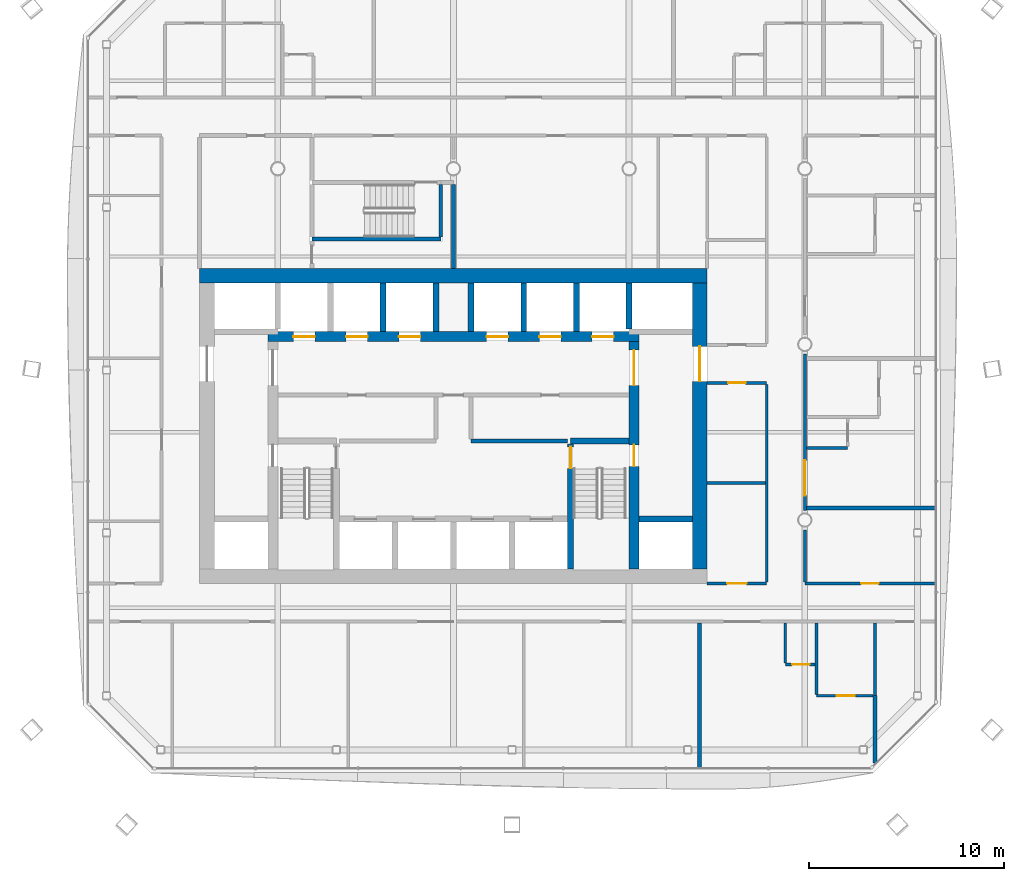
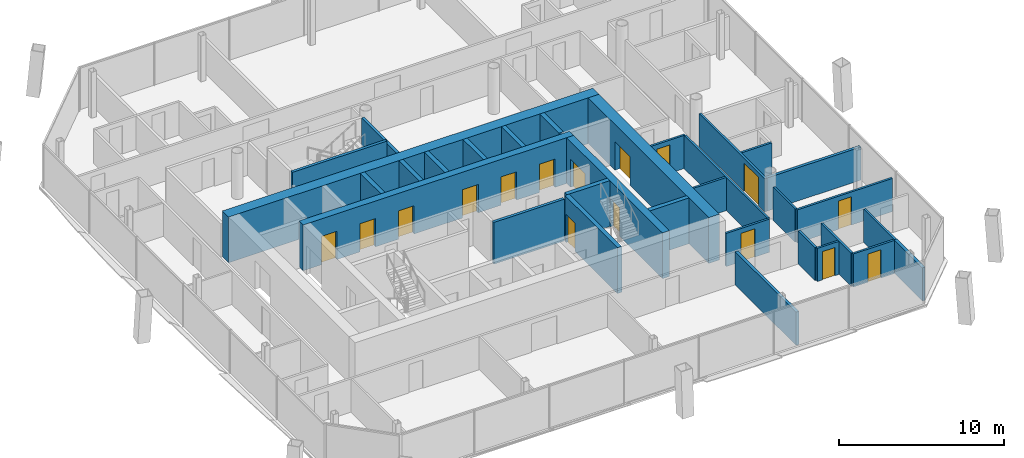
# One storey, part 13 of 18: 33 walls, 16 doors, 16 openings.
"""IFC4 building model written with IfcOpenShell, lengths in metres."""

from ifc_helpers import new_model, si_unit, direction, frame, frame_2d, origin, place, context, subcontext, project, spatial, rectangle, extrude, material, layer, layer_set, type_object, element, fill, save


model = new_model("IFC4")

# Units and contexts
model_context = context("Model", 3, precision=1e-05, world=origin(), true_north=direction((0.0, 1.0)))
body_context = subcontext(model_context, "Body", "Model", "MODEL_VIEW")
ifc_project = project(units=[si_unit("LENGTHUNIT", "METRE"), si_unit("AREAUNIT", "SQUARE_METRE"), si_unit("VOLUMEUNIT", "CUBIC_METRE"), si_unit("PLANEANGLEUNIT", "RADIAN"), si_unit("MASSUNIT", "GRAM", prefix="KILO")], contexts=[model_context])

# Site, building, storey
site_placement = place(None, origin())
site = spatial("IfcSite", under=ifc_project, at=site_placement, CompositionType="ELEMENT")
building_placement = place(site_placement, origin())
building = spatial("IfcBuilding", under=site, at=building_placement, Name="Tskaro Facet Tower", CompositionType="ELEMENT")
storey_placement = place(building_placement, frame((0.0, 0.0, 155.5)))
storey = spatial("IfcBuildingStorey", under=building, at=storey_placement, Name="L38", CompositionType="ELEMENT", Elevation=155.5)

# Walls
ifc_material_1 = material(Name="Concrete C60/75", Category="concrete")
ifc_layer_1 = layer(ifc_material_1, 0.300048828125, Name="Concrete C60/75")
ifc_layer_set_1 = layer_set([ifc_layer_1], Name="Concrete C60/75")
wall_type_1 = type_object("IfcWallType", Name="CORE-SHAFT", PredefinedType="SHEAR", material=ifc_layer_set_1)
wall_1_placement = place(storey_placement, frame((9.5, -8.949951171875, 0.0), z_axis=(0.0, 0.0, 1.0), x_axis=(1.0, 0.0, 0.0)))
element("IfcWall", 1, at=wall_1_placement, inside=storey, type_object=wall_type_1, Name="Shaft wall W010", PredefinedType="SHEAR", context=body_context, shape_type="SweptSolid", body=[
    extrude(rectangle(XDim=2.75, YDim=0.300048828125, at=frame_2d((1.375, 0.0))), origin(), (0.0, 0.0, 1.0), 3.39990234375),
])
wall_2_placement = place(storey_placement, frame((6.0, -4.949951171875, 0.0), z_axis=(0.0, 0.0, 1.0), x_axis=(1.0, 0.0, 0.0)))
element("IfcWall", 2, at=wall_2_placement, inside=storey, type_object=wall_type_1, Name="Shaft wall W017", PredefinedType="SHEAR", context=body_context, shape_type="SweptSolid", body=[
    extrude(rectangle(XDim=3.0, YDim=0.300048828125, at=frame_2d((1.5, 0.0))), origin(), (0.0, 0.0, 1.0), 3.39990234375),
])
for number, where, z_axis, x_axis, name in (
    (3, (-3.60009765625, 0.64990234375, 0.0), (0.0, 0.0, 1.0), (0.0, 1.0, 0.0), "Shaft wall W058"),
    (4, (-0.89990234375, 0.64990234375, 0.0), (0.0, 0.0, 1.0), (0.0, 1.0, 0.0), "Shaft wall W061"),
    (5, (0.89990234375, 0.64990234375, 0.0), (0.0, 0.0, 1.0), (0.0, 1.0, 0.0), "Shaft wall W067"),
    (6, (3.60009765625, 0.64990234375, 0.0), (0.0, 0.0, 1.0), (0.0, 1.0, 0.0), "Shaft wall W070"),
):
    element("IfcWall", number, at=place(storey_placement, frame(where, z_axis=z_axis, x_axis=x_axis)), inside=storey, type_object=wall_type_1, Name=name, PredefinedType="SHEAR", context=body_context, shape_type="SweptSolid", body=[
        extrude(rectangle(XDim=2.5, YDim=0.300048828125, at=frame_2d((1.25, 0.0))), origin(), (0.0, 0.0, 1.0), 3.39990234375),
    ])

# Wall, opening, door
wall_3_placement = place(storey_placement, frame((6.0, -5.10009765625, 0.0), z_axis=(0.0, 0.0, 1.0), x_axis=(0.0, -1.0, 0.0)))
wall_3 = element("IfcWall", 7, at=wall_3_placement, inside=storey, type_object=wall_type_1, Name="Shaft wall W071", PredefinedType="SHEAR", context=body_context, shape_type="SweptSolid", body=[
    extrude(rectangle(XDim=6.39990234375, YDim=0.300048828125, at=frame_2d((3.199951171875, 0.0))), origin(), (0.0, 0.0, 1.0), 3.39990234375),
])
opening_1_placement = place(wall_3_placement, frame((0.14990234375, 0.0, 0.0)))
opening_1 = element("IfcOpeningElement", 8, at=opening_1_placement, cuts=wall_3, Name="Opening ST-2-D1", PredefinedType="OPENING", context=body_context, shape_type="SweptSolid", body=[
    extrude(rectangle(XDim=1.10009765625, YDim=2.10009765625, at=frame_2d((0.550048828125, 1.050048828125))), frame((0.0, 0.159912109375, 0.0), z_axis=(0.0, -1.0, 0.0), x_axis=(1.0, 0.0, 0.0)), (0.0, 0.0, 1.0), 0.320068359375),
])
ifc_material_2 = material(Name="Steel", Category="steel")
door_type_1 = type_object("IfcDoorType", Name="D-STAIR", OperationType="NOTDEFINED", PredefinedType="DOOR", material=ifc_material_2)
door_1_placement = place(opening_1_placement, origin())
door_1 = element("IfcDoor", 9, at=door_1_placement, inside=storey, type_object=door_type_1, Name="Stair door 2", OperationType="SINGLE_SWING_RIGHT", OverallHeight=2.10009765625, OverallWidth=1.10009765625, PredefinedType="DOOR", context=body_context, shape_type="SweptSolid", body=[
    extrude(rectangle(XDim=1.10009765625, YDim=2.10009765625, at=frame_2d((0.550048828125, 1.050048828125))), frame((0.0, 0.02490234375, 0.0), z_axis=(0.0, -1.0, 0.0), x_axis=(1.0, 0.0, 0.0)), (0.0, 0.0, 1.0), 0.050048828125),
])
fill(opening_1, door_1)

# Walls
wall_4_placement = place(storey_placement, frame((6.300048828125, 0.64990234375, 0.0), z_axis=(0.0, 0.0, 1.0), x_axis=(0.0, 1.0, 0.0)))
element("IfcWall", 10, at=wall_4_placement, inside=storey, type_object=wall_type_1, Name="Shaft wall W072", PredefinedType="SHEAR", context=body_context, shape_type="SweptSolid", body=[
    extrude(rectangle(XDim=2.5, YDim=0.300048828125, at=frame_2d((1.25, 0.0))), origin(), (0.0, 0.0, 1.0), 3.39990234375),
])
wall_5_placement = place(storey_placement, frame((9.0, 0.800048828125, 0.0), z_axis=(0.0, 0.0, 1.0), x_axis=(0.0, 1.0, 0.0)))
element("IfcWall", 11, at=wall_5_placement, inside=storey, type_object=wall_type_1, Name="Shaft wall W073", PredefinedType="SHEAR", context=body_context, shape_type="SweptSolid", body=[
    extrude(rectangle(XDim=2.349853515625, YDim=0.300048828125, at=frame_2d((1.1748046875, 0.0))), origin(), (0.0, 0.0, 1.0), 3.39990234375),
])
ifc_material_3 = material(Name="Concrete C20/25", Category="concrete")
ifc_layer_2 = layer(ifc_material_3, 0.199951171875, Name="Concrete C20/25")
ifc_layer_set_2 = layer_set([ifc_layer_2], Name="Concrete C20/25")
wall_type_2 = type_object("IfcWallType", Name="CORE-WALL", PredefinedType="SOLIDWALL", material=ifc_layer_set_2)
wall_6_placement = place(storey_placement, frame((0.89990234375, -4.949951171875, 0.0), z_axis=(0.0, 0.0, 1.0), x_axis=(1.0, 0.0, 0.0)))
element("IfcWall", 12, at=wall_6_placement, inside=storey, type_object=wall_type_2, Name="Core room wall W016", PredefinedType="SOLIDWALL", context=body_context, shape_type="SweptSolid", body=[
    extrude(rectangle(XDim=4.9501953125, YDim=0.199951171875, at=frame_2d((2.47509765625, 0.0))), origin(), (0.0, 0.0, 1.0), 3.10009765625),
])

# Wall, openings, doors
ifc_material_4 = material(Name="Concrete C40/50", Category="concrete")
ifc_layer_3 = layer(ifc_material_4, 0.5, Name="Concrete C40/50")
ifc_layer_set_3 = layer_set([ifc_layer_3], Name="Concrete C40/50")
wall_type_3 = type_object("IfcWallType", Name="Core wall 500", PredefinedType="SHEAR", material=ifc_layer_set_3)
wall_7_placement = place(storey_placement, frame((-9.5, 0.39990234375, 0.0), z_axis=(0.0, 0.0, 1.0), x_axis=(1.0, 0.0, 0.0)))
wall_7 = element("IfcWall", 13, at=wall_7_placement, inside=storey, type_object=wall_type_3, Name="Core wall CW-Z3N", PredefinedType="SHEAR", context=body_context, shape_type="SweptSolid", body=[
    extrude(rectangle(XDim=19.0, YDim=0.5, at=frame_2d((9.5, 0.0))), origin(), (0.0, 0.0, 1.0), 3.39990234375),
])
opening_2_placement = place(wall_7_placement, frame((1.300048828125, 0.0, 0.0)))
opening_2 = element("IfcOpeningElement", 14, at=opening_2_placement, cuts=wall_7, Name="Opening LD-MB1", PredefinedType="OPENING", context=body_context, shape_type="SweptSolid", body=[
    extrude(rectangle(XDim=1.10009765625, YDim=2.10009765625, at=frame_2d((0.550048828125, 1.050048828125))), frame((0.0, 0.260009765625, 0.0), z_axis=(0.0, -1.0, 0.0), x_axis=(1.0, 0.0, 0.0)), (0.0, 0.0, 1.0), 0.52001953125),
])
opening_3_placement = place(wall_7_placement, frame((4.0, 0.0, 0.0)))
opening_3 = element("IfcOpeningElement", 15, at=opening_3_placement, cuts=wall_7, Name="Opening LD-MB2", PredefinedType="OPENING", context=body_context, shape_type="SweptSolid", body=[
    extrude(rectangle(XDim=1.10009765625, YDim=2.10009765625, at=frame_2d((0.550048828125, 1.050048828125))), frame((0.0, 0.260009765625, 0.0), z_axis=(0.0, -1.0, 0.0), x_axis=(1.0, 0.0, 0.0)), (0.0, 0.0, 1.0), 0.52001953125),
])
opening_4_placement = place(wall_7_placement, frame((6.699951171875, 0.0, 0.0)))
opening_4 = element("IfcOpeningElement", 16, at=opening_4_placement, cuts=wall_7, Name="Opening LD-MB3", PredefinedType="OPENING", context=body_context, shape_type="SweptSolid", body=[
    extrude(rectangle(XDim=1.10009765625, YDim=2.10009765625, at=frame_2d((0.550048828125, 1.050048828125))), frame((0.0, 0.260009765625, 0.0), z_axis=(0.0, -1.0, 0.0), x_axis=(1.0, 0.0, 0.0)), (0.0, 0.0, 1.0), 0.52001953125),
])
opening_5_placement = place(wall_7_placement, frame((11.199951171875, 0.0, 0.0)))
opening_5 = element("IfcOpeningElement", 17, at=opening_5_placement, cuts=wall_7, Name="Opening LD-MB4", PredefinedType="OPENING", context=body_context, shape_type="SweptSolid", body=[
    extrude(rectangle(XDim=1.10009765625, YDim=2.10009765625, at=frame_2d((0.550048828125, 1.050048828125))), frame((0.0, 0.260009765625, 0.0), z_axis=(0.0, -1.0, 0.0), x_axis=(1.0, 0.0, 0.0)), (0.0, 0.0, 1.0), 0.52001953125),
])
opening_6_placement = place(wall_7_placement, frame((13.89990234375, 0.0, 0.0)))
opening_6 = element("IfcOpeningElement", 18, at=opening_6_placement, cuts=wall_7, Name="Opening LD-MB5", PredefinedType="OPENING", context=body_context, shape_type="SweptSolid", body=[
    extrude(rectangle(XDim=1.10009765625, YDim=2.10009765625, at=frame_2d((0.550048828125, 1.050048828125))), frame((0.0, 0.260009765625, 0.0), z_axis=(0.0, -1.0, 0.0), x_axis=(1.0, 0.0, 0.0)), (0.0, 0.0, 1.0), 0.52001953125),
])
opening_7_placement = place(wall_7_placement, frame((16.60009765625, 0.0, 0.0)))
opening_7 = element("IfcOpeningElement", 19, at=opening_7_placement, cuts=wall_7, Name="Opening LD-MB6", PredefinedType="OPENING", context=body_context, shape_type="SweptSolid", body=[
    extrude(rectangle(XDim=1.10009765625, YDim=2.10009765625, at=frame_2d((0.550048828125, 1.050048828125))), frame((0.0, 0.260009765625, 0.0), z_axis=(0.0, -1.0, 0.0), x_axis=(1.0, 0.0, 0.0)), (0.0, 0.0, 1.0), 0.52001953125),
])
ifc_material_5 = material(Name="Stainless steel", Category="steel")
door_type_2 = type_object("IfcDoorType", Name="D-LANDING", OperationType="NOTDEFINED", PredefinedType="DOOR", material=ifc_material_5)
door_2_placement = place(opening_2_placement, origin())
door_2 = element("IfcDoor", 20, at=door_2_placement, inside=storey, type_object=door_type_2, Name="Landing door MB1", OperationType="DOUBLE_DOOR_SLIDING", OverallHeight=2.10009765625, OverallWidth=1.10009765625, PredefinedType="DOOR", context=body_context, shape_type="SweptSolid", body=[
    extrude(rectangle(XDim=1.10009765625, YDim=2.10009765625, at=frame_2d((0.550048828125, 1.050048828125))), frame((0.0, 0.02490234375, 0.0), z_axis=(0.0, -1.0, 0.0), x_axis=(1.0, 0.0, 0.0)), (0.0, 0.0, 1.0), 0.050048828125),
])
fill(opening_2, door_2)
door_3_placement = place(opening_3_placement, origin())
door_3 = element("IfcDoor", 21, at=door_3_placement, inside=storey, type_object=door_type_2, Name="Landing door MB2", OperationType="DOUBLE_DOOR_SLIDING", OverallHeight=2.10009765625, OverallWidth=1.10009765625, PredefinedType="DOOR", context=body_context, shape_type="SweptSolid", body=[
    extrude(rectangle(XDim=1.10009765625, YDim=2.10009765625, at=frame_2d((0.550048828125, 1.050048828125))), frame((0.0, 0.02490234375, 0.0), z_axis=(0.0, -1.0, 0.0), x_axis=(1.0, 0.0, 0.0)), (0.0, 0.0, 1.0), 0.050048828125),
])
fill(opening_3, door_3)
door_4_placement = place(opening_4_placement, origin())
door_4 = element("IfcDoor", 22, at=door_4_placement, inside=storey, type_object=door_type_2, Name="Landing door MB3", OperationType="DOUBLE_DOOR_SLIDING", OverallHeight=2.10009765625, OverallWidth=1.10009765625, PredefinedType="DOOR", context=body_context, shape_type="SweptSolid", body=[
    extrude(rectangle(XDim=1.10009765625, YDim=2.10009765625, at=frame_2d((0.550048828125, 1.050048828125))), frame((0.0, 0.02490234375, 0.0), z_axis=(0.0, -1.0, 0.0), x_axis=(1.0, 0.0, 0.0)), (0.0, 0.0, 1.0), 0.050048828125),
])
fill(opening_4, door_4)
door_5_placement = place(opening_5_placement, origin())
door_5 = element("IfcDoor", 23, at=door_5_placement, inside=storey, type_object=door_type_2, Name="Landing door MB4", OperationType="DOUBLE_DOOR_SLIDING", OverallHeight=2.10009765625, OverallWidth=1.10009765625, PredefinedType="DOOR", context=body_context, shape_type="SweptSolid", body=[
    extrude(rectangle(XDim=1.10009765625, YDim=2.10009765625, at=frame_2d((0.550048828125, 1.050048828125))), frame((0.0, 0.02490234375, 0.0), z_axis=(0.0, -1.0, 0.0), x_axis=(1.0, 0.0, 0.0)), (0.0, 0.0, 1.0), 0.050048828125),
])
fill(opening_5, door_5)
door_6_placement = place(opening_6_placement, origin())
door_6 = element("IfcDoor", 24, at=door_6_placement, inside=storey, type_object=door_type_2, Name="Landing door MB5", OperationType="DOUBLE_DOOR_SLIDING", OverallHeight=2.10009765625, OverallWidth=1.10009765625, PredefinedType="DOOR", context=body_context, shape_type="SweptSolid", body=[
    extrude(rectangle(XDim=1.10009765625, YDim=2.10009765625, at=frame_2d((0.550048828125, 1.050048828125))), frame((0.0, 0.02490234375, 0.0), z_axis=(0.0, -1.0, 0.0), x_axis=(1.0, 0.0, 0.0)), (0.0, 0.0, 1.0), 0.050048828125),
])
fill(opening_6, door_6)
door_7_placement = place(opening_7_placement, origin())
door_7 = element("IfcDoor", 25, at=door_7_placement, inside=storey, type_object=door_type_2, Name="Landing door MB6", OperationType="DOUBLE_DOOR_SLIDING", OverallHeight=2.10009765625, OverallWidth=1.10009765625, PredefinedType="DOOR", context=body_context, shape_type="SweptSolid", body=[
    extrude(rectangle(XDim=1.10009765625, YDim=2.10009765625, at=frame_2d((0.550048828125, 1.050048828125))), frame((0.0, 0.02490234375, 0.0), z_axis=(0.0, -1.0, 0.0), x_axis=(1.0, 0.0, 0.0)), (0.0, 0.0, 1.0), 0.050048828125),
])
fill(opening_7, door_7)

wall_8_placement = place(storey_placement, frame((9.25, -11.5, 0.0), z_axis=(0.0, 0.0, 1.0), x_axis=(0.0, 1.0, 0.0)))
wall_8 = element("IfcWall", 26, at=wall_8_placement, inside=storey, type_object=wall_type_3, Name="Core wall CW-Z3E", PredefinedType="SHEAR", context=body_context, shape_type="SweptSolid", body=[
    extrude(rectangle(XDim=11.64990234375, YDim=0.5, at=frame_2d((5.824951171875, 0.0))), origin(), (0.0, 0.0, 1.0), 3.39990234375),
])
opening_8_placement = place(wall_8_placement, frame((9.39990234375, 0.0, 0.0)))
opening_8 = element("IfcOpeningElement", 27, at=opening_8_placement, cuts=wall_8, Name="Opening T11-D22", PredefinedType="OPENING", context=body_context, shape_type="SweptSolid", body=[
    extrude(rectangle(XDim=1.800048828125, YDim=2.10009765625, at=frame_2d((0.89990234375, 1.050048828125))), frame((0.0, 0.260009765625, 0.0), z_axis=(0.0, -1.0, 0.0), x_axis=(1.0, 0.0, 0.0)), (0.0, 0.0, 1.0), 0.52001953125),
])
opening_9_placement = place(wall_8_placement, frame((5.25, 0.0, 0.0)))
opening_9 = element("IfcOpeningElement", 28, at=opening_9_placement, cuts=wall_8, Name="Opening ST-2-D2", PredefinedType="OPENING", context=body_context, shape_type="SweptSolid", body=[
    extrude(rectangle(XDim=1.10009765625, YDim=2.10009765625, at=frame_2d((0.550048828125, 1.050048828125))), frame((0.0, 0.260009765625, 0.0), z_axis=(0.0, -1.0, 0.0), x_axis=(1.0, 0.0, 0.0)), (0.0, 0.0, 1.0), 0.52001953125),
])
door_type_3 = type_object("IfcDoorType", Name="D-CORE-PAIR", OperationType="NOTDEFINED", PredefinedType="DOOR", material=ifc_material_2)
door_8_placement = place(opening_8_placement, origin())
door_8 = element("IfcDoor", 29, at=door_8_placement, inside=storey, type_object=door_type_3, Name="Door T11-D22", OperationType="DOUBLE_DOOR_SINGLE_SWING", OverallHeight=2.10009765625, OverallWidth=1.800048828125, PredefinedType="DOOR", context=body_context, shape_type="SweptSolid", body=[
    extrude(rectangle(XDim=1.800048828125, YDim=2.10009765625, at=frame_2d((0.89990234375, 1.050048828125))), frame((0.0, 0.02490234375, 0.0), z_axis=(0.0, -1.0, 0.0), x_axis=(1.0, 0.0, 0.0)), (0.0, 0.0, 1.0), 0.050048828125),
])
fill(opening_8, door_8)
door_9_placement = place(opening_9_placement, origin())
door_9 = element("IfcDoor", 30, at=door_9_placement, inside=storey, type_object=door_type_1, Name="Stair door 2 east", OperationType="SINGLE_SWING_LEFT", OverallHeight=2.10009765625, OverallWidth=1.10009765625, PredefinedType="DOOR", context=body_context, shape_type="SweptSolid", body=[
    extrude(rectangle(XDim=1.10009765625, YDim=2.10009765625, at=frame_2d((0.550048828125, 1.050048828125))), frame((0.0, 0.02490234375, 0.0), z_axis=(0.0, -1.0, 0.0), x_axis=(1.0, 0.0, 0.0)), (0.0, 0.0, 1.0), 0.050048828125),
])
fill(opening_9, door_9)

# Wall
ifc_material_6 = material(Name="Concrete C50/60", Category="concrete")
ifc_layer_4 = layer(ifc_material_6, 0.75, Name="Concrete C50/60")
ifc_layer_set_4 = layer_set([ifc_layer_4], Name="Concrete C50/60")
wall_type_4 = type_object("IfcWallType", Name="Core wall 750", PredefinedType="SHEAR", material=ifc_layer_set_4)
wall_9_placement = place(storey_placement, frame((-13.0, 3.52490234375, 0.0), z_axis=(0.0, 0.0, 1.0), x_axis=(1.0, 0.0, 0.0)))
element("IfcWall", 31, at=wall_9_placement, inside=storey, type_object=wall_type_4, Name="Core wall CW-Z2N", PredefinedType="SHEAR", context=body_context, shape_type="SweptSolid", body=[
    extrude(rectangle(XDim=26.0, YDim=0.75, at=frame_2d((13.0, 0.0))), origin(), (0.0, 0.0, 1.0), 3.39990234375),
])

# Wall, opening, door
wall_10_placement = place(storey_placement, frame((12.625, -11.5, 0.0), z_axis=(0.0, 0.0, 1.0), x_axis=(0.0, 1.0, 0.0)))
wall_10 = element("IfcWall", 32, at=wall_10_placement, inside=storey, type_object=wall_type_4, Name="Core wall CW-Z2E", PredefinedType="SHEAR", context=body_context, shape_type="SweptSolid", body=[
    extrude(rectangle(XDim=14.64990234375, YDim=0.75, at=frame_2d((7.324951171875, 0.0))), origin(), (0.0, 0.0, 1.0), 3.39990234375),
])
opening_10_placement = place(wall_10_placement, frame((9.60009765625, 0.0, 0.0)))
opening_10 = element("IfcOpeningElement", 33, at=opening_10_placement, cuts=wall_10, Name="Opening T11-D24", PredefinedType="OPENING", context=body_context, shape_type="SweptSolid", body=[
    extrude(rectangle(XDim=1.800048828125, YDim=2.10009765625, at=frame_2d((0.89990234375, 1.050048828125))), frame((0.0, 0.385009765625, 0.0), z_axis=(0.0, -1.0, 0.0), x_axis=(1.0, 0.0, 0.0)), (0.0, 0.0, 1.0), 0.77001953125),
])
door_10_placement = place(opening_10_placement, origin())
door_10 = element("IfcDoor", 34, at=door_10_placement, inside=storey, type_object=door_type_3, Name="Door T11-D24", OperationType="DOUBLE_DOOR_SINGLE_SWING", OverallHeight=2.10009765625, OverallWidth=1.800048828125, PredefinedType="DOOR", context=body_context, shape_type="SweptSolid", body=[
    extrude(rectangle(XDim=1.800048828125, YDim=2.10009765625, at=frame_2d((0.89990234375, 1.050048828125))), frame((0.0, 0.02490234375, 0.0), z_axis=(0.0, -1.0, 0.0), x_axis=(1.0, 0.0, 0.0)), (0.0, 0.0, 1.0), 0.050048828125),
])
fill(opening_10, door_10)

ifc_material_7 = material(Name="Gypsum board on steel studs", Category="steel")
ifc_layer_5 = layer(ifc_material_7, 0.14990234375, Name="Gypsum board on steel studs")
ifc_layer_set_5 = layer_set([ifc_layer_5], Name="Gypsum board on steel studs")
wall_type_5 = type_object("IfcWallType", Name="PART-CORR", PredefinedType="PARTITIONING", material=ifc_layer_set_5)
wall_11_placement = place(storey_placement, frame((18.59912109375, -18.0, 0.0), z_axis=(0.0, 0.0, 1.0), x_axis=(1.0, 0.0, 0.0)))
wall_11 = element("IfcWall", 35, at=wall_11_placement, inside=storey, type_object=wall_type_5, Name="Corridor wall W001", PredefinedType="PARTITIONING", context=body_context, shape_type="SweptSolid", body=[
    extrude(rectangle(XDim=2.89990234375, YDim=0.14990234375, at=frame_2d((1.449951171875, 0.0))), origin(), (0.0, 0.0, 1.0), 2.4599609375),
])
opening_11_placement = place(wall_11_placement, frame((1.050048828125, 0.0, 0.0)))
opening_11 = element("IfcOpeningElement", 36, at=opening_11_placement, cuts=wall_11, Name="Opening T11-D01", PredefinedType="OPENING", context=body_context, shape_type="SweptSolid", body=[
    extrude(rectangle(XDim=0.89990234375, YDim=2.10009765625, at=frame_2d((0.449951171875, 1.050048828125))), frame((0.0, 0.0849609375, 0.0), z_axis=(0.0, -1.0, 0.0), x_axis=(1.0, 0.0, 0.0)), (0.0, 0.0, 1.0), 0.169921875),
])
ifc_material_8 = material(Name="Timber", Category="wood")
door_type_4 = type_object("IfcDoorType", Name="D-ROOM", OperationType="NOTDEFINED", PredefinedType="DOOR", material=ifc_material_8)
door_11_placement = place(opening_11_placement, origin())
door_11 = element("IfcDoor", 37, at=door_11_placement, inside=storey, type_object=door_type_4, Name="Door T11-D01", OperationType="SINGLE_SWING_LEFT", OverallHeight=2.10009765625, OverallWidth=0.89990234375, PredefinedType="DOOR", context=body_context, shape_type="SweptSolid", body=[
    extrude(rectangle(XDim=0.89990234375, YDim=2.10009765625, at=frame_2d((0.449951171875, 1.050048828125))), frame((0.0, 0.02490234375, 0.0), z_axis=(0.0, -1.0, 0.0), x_axis=(1.0, 0.0, 0.0)), (0.0, 0.0, 1.0), 0.050048828125),
])
fill(opening_11, door_11)

wall_12_placement = place(storey_placement, frame((16.9990234375, -16.39990234375, 0.0), z_axis=(0.0, 0.0, 1.0), x_axis=(1.0, 0.0, 0.0)))
wall_12 = element("IfcWall", 38, at=wall_12_placement, inside=storey, type_object=wall_type_5, Name="Corridor wall W002", PredefinedType="PARTITIONING", context=body_context, shape_type="SweptSolid", body=[
    extrude(rectangle(XDim=1.52490234375, YDim=0.14990234375, at=frame_2d((0.762451171875, 0.0))), origin(), (0.0, 0.0, 1.0), 2.4599609375),
])
opening_12_placement = place(wall_12_placement, frame((0.35009765625, 0.0, 0.0)))
opening_12 = element("IfcOpeningElement", 39, at=opening_12_placement, cuts=wall_12, Name="Opening T11-D02", PredefinedType="OPENING", context=body_context, shape_type="SweptSolid", body=[
    extrude(rectangle(XDim=0.89990234375, YDim=2.10009765625, at=frame_2d((0.449951171875, 1.050048828125))), frame((0.0, 0.0849609375, 0.0), z_axis=(0.0, -1.0, 0.0), x_axis=(1.0, 0.0, 0.0)), (0.0, 0.0, 1.0), 0.169921875),
])
door_12_placement = place(opening_12_placement, origin())
door_12 = element("IfcDoor", 40, at=door_12_placement, inside=storey, type_object=door_type_4, Name="Door T11-D02", OperationType="SINGLE_SWING_LEFT", OverallHeight=2.10009765625, OverallWidth=0.89990234375, PredefinedType="DOOR", context=body_context, shape_type="SweptSolid", body=[
    extrude(rectangle(XDim=0.89990234375, YDim=2.10009765625, at=frame_2d((0.449951171875, 1.050048828125))), frame((0.0, 0.02490234375, 0.0), z_axis=(0.0, -1.0, 0.0), x_axis=(1.0, 0.0, 0.0)), (0.0, 0.0, 1.0), 0.050048828125),
])
fill(opening_12, door_12)

wall_13_placement = place(storey_placement, frame((13.0, -12.25, 0.0), z_axis=(0.0, 0.0, 1.0), x_axis=(1.0, 0.0, 0.0)))
wall_13 = element("IfcWall", 41, at=wall_13_placement, inside=storey, type_object=wall_type_5, Name="Corridor wall W005", PredefinedType="PARTITIONING", context=body_context, shape_type="SweptSolid", body=[
    extrude(rectangle(XDim=3.050048828125, YDim=0.14990234375, at=frame_2d((1.52490234375, 0.0))), origin(), (0.0, 0.0, 1.0), 2.4599609375),
])
opening_13_placement = place(wall_13_placement, frame((1.02490234375, 0.0, 0.0)))
opening_13 = element("IfcOpeningElement", 42, at=opening_13_placement, cuts=wall_13, Name="Opening T11-D10", PredefinedType="OPENING", context=body_context, shape_type="SweptSolid", body=[
    extrude(rectangle(XDim=1.0, YDim=2.10009765625, at=frame_2d((0.5, 1.050048828125))), frame((0.0, 0.0849609375, 0.0), z_axis=(0.0, -1.0, 0.0), x_axis=(1.0, 0.0, 0.0)), (0.0, 0.0, 1.0), 0.169921875),
])
door_type_5 = type_object("IfcDoorType", Name="D-ROOM-WIDE", OperationType="NOTDEFINED", PredefinedType="DOOR", material=ifc_material_8)
door_13_placement = place(opening_13_placement, origin())
door_13 = element("IfcDoor", 43, at=door_13_placement, inside=storey, type_object=door_type_5, Name="Door T11-D10", OperationType="SINGLE_SWING_LEFT", OverallHeight=2.10009765625, OverallWidth=1.0, PredefinedType="DOOR", context=body_context, shape_type="SweptSolid", body=[
    extrude(rectangle(XDim=1.0, YDim=2.10009765625, at=frame_2d((0.5, 1.050048828125))), frame((0.0, 0.02490234375, 0.0), z_axis=(0.0, -1.0, 0.0), x_axis=(1.0, 0.0, 0.0)), (0.0, 0.0, 1.0), 0.050048828125),
])
fill(opening_13, door_13)

wall_14_placement = place(storey_placement, frame((18.0, -12.25, 0.0), z_axis=(0.0, 0.0, 1.0), x_axis=(1.0, 0.0, 0.0)))
wall_14 = element("IfcWall", 44, at=wall_14_placement, inside=storey, type_object=wall_type_5, Name="Corridor wall W006", PredefinedType="PARTITIONING", context=body_context, shape_type="SweptSolid", body=[
    extrude(rectangle(XDim=6.674072265625, YDim=0.14990234375, at=frame_2d((3.3369140625, 0.0))), origin(), (0.0, 0.0, 1.0), 2.4599609375),
])
opening_14_placement = place(wall_14_placement, frame((2.886962890625, 0.0, 0.0)))
opening_14 = element("IfcOpeningElement", 45, at=opening_14_placement, cuts=wall_14, Name="Opening T11-D11", PredefinedType="OPENING", context=body_context, shape_type="SweptSolid", body=[
    extrude(rectangle(XDim=0.89990234375, YDim=2.10009765625, at=frame_2d((0.449951171875, 1.050048828125))), frame((0.0, 0.0849609375, 0.0), z_axis=(0.0, -1.0, 0.0), x_axis=(1.0, 0.0, 0.0)), (0.0, 0.0, 1.0), 0.169921875),
])
door_14_placement = place(opening_14_placement, origin())
door_14 = element("IfcDoor", 46, at=door_14_placement, inside=storey, type_object=door_type_4, Name="Door T11-D11", OperationType="SINGLE_SWING_LEFT", OverallHeight=2.10009765625, OverallWidth=0.89990234375, PredefinedType="DOOR", context=body_context, shape_type="SweptSolid", body=[
    extrude(rectangle(XDim=0.89990234375, YDim=2.10009765625, at=frame_2d((0.449951171875, 1.050048828125))), frame((0.0, 0.02490234375, 0.0), z_axis=(0.0, -1.0, 0.0), x_axis=(1.0, 0.0, 0.0)), (0.0, 0.0, 1.0), 0.050048828125),
])
fill(opening_14, door_14)

# Walls
wall_15_placement = place(storey_placement, frame((13.0, -7.112060546875, 0.0), z_axis=(0.0, 0.0, 1.0), x_axis=(1.0, 0.0, 0.0)))
element("IfcWall", 47, at=wall_15_placement, inside=storey, type_object=wall_type_5, Name="Corridor wall W012", PredefinedType="PARTITIONING", context=body_context, shape_type="SweptSolid", body=[
    extrude(rectangle(XDim=2.97509765625, YDim=0.14990234375, at=frame_2d((1.487548828125, 0.0))), origin(), (0.0, 0.0, 1.0), 2.4599609375),
])
wall_16_placement = place(storey_placement, frame((18.074951171875, -5.31591796875, 0.0), z_axis=(0.0, 0.0, 1.0), x_axis=(1.0, 0.0, 0.0)))
element("IfcWall", 48, at=wall_16_placement, inside=storey, type_object=wall_type_5, Name="Corridor wall W013", PredefinedType="PARTITIONING", context=body_context, shape_type="SweptSolid", body=[
    extrude(rectangle(XDim=2.125, YDim=0.14990234375, at=frame_2d((1.0625, 0.0))), origin(), (0.0, 0.0, 1.0), 2.4599609375),
])

# Wall, opening, door
wall_17_placement = place(storey_placement, frame((16.050048828125, -1.97509765625, 0.0), z_axis=(0.0, 0.0, 1.0), x_axis=(-1.0, 0.0, 0.0)))
wall_17 = element("IfcWall", 49, at=wall_17_placement, inside=storey, type_object=wall_type_5, Name="Corridor wall W020", PredefinedType="PARTITIONING", context=body_context, shape_type="SweptSolid", body=[
    extrude(rectangle(XDim=3.050048828125, YDim=0.14990234375, at=frame_2d((1.52490234375, 0.0))), origin(), (0.0, 0.0, 1.0), 2.4599609375),
])
opening_15_placement = place(wall_17_placement, frame((1.074951171875, 0.0, 0.0)))
opening_15 = element("IfcOpeningElement", 50, at=opening_15_placement, cuts=wall_17, Name="Opening T11-D20", PredefinedType="OPENING", context=body_context, shape_type="SweptSolid", body=[
    extrude(rectangle(XDim=0.89990234375, YDim=2.10009765625, at=frame_2d((0.449951171875, 1.050048828125))), frame((0.0, 0.0849609375, 0.0), z_axis=(0.0, -1.0, 0.0), x_axis=(1.0, 0.0, 0.0)), (0.0, 0.0, 1.0), 0.169921875),
])
door_15_placement = place(opening_15_placement, origin())
door_15 = element("IfcDoor", 51, at=door_15_placement, inside=storey, type_object=door_type_4, Name="Door T11-D20", OperationType="SINGLE_SWING_RIGHT", OverallHeight=2.10009765625, OverallWidth=0.89990234375, PredefinedType="DOOR", context=body_context, shape_type="SweptSolid", body=[
    extrude(rectangle(XDim=0.89990234375, YDim=2.10009765625, at=frame_2d((0.449951171875, 1.050048828125))), frame((0.0, 0.02490234375, 0.0), z_axis=(0.0, -1.0, 0.0), x_axis=(1.0, 0.0, 0.0)), (0.0, 0.0, 1.0), 0.050048828125),
])
fill(opening_15, door_15)

# Walls
wall_18_placement = place(storey_placement, frame((16.050048828125, -12.175048828125, 0.0), z_axis=(0.0, 0.0, 1.0), x_axis=(0.0, 1.0, 0.0)))
element("IfcWall", 52, at=wall_18_placement, inside=storey, type_object=wall_type_5, Name="Corridor wall W081", PredefinedType="PARTITIONING", context=body_context, shape_type="SweptSolid", body=[
    extrude(rectangle(XDim=10.125, YDim=0.14990234375, at=frame_2d((5.0625, 0.0))), origin(), (0.0, 0.0, 1.0), 2.4599609375),
])
wall_19_placement = place(storey_placement, frame((16.9990234375, -16.324951171875, 0.0), z_axis=(0.0, 0.0, 1.0), x_axis=(0.0, 1.0, 0.0)))
element("IfcWall", 53, at=wall_19_placement, inside=storey, type_object=wall_type_5, Name="Corridor wall W083", PredefinedType="PARTITIONING", context=body_context, shape_type="SweptSolid", body=[
    extrude(rectangle(XDim=2.050048828125, YDim=0.14990234375, at=frame_2d((1.02490234375, 0.0))), origin(), (0.0, 0.0, 1.0), 2.4599609375),
])
wall_20_placement = place(storey_placement, frame((18.0, -12.175048828125, 0.0), z_axis=(0.0, 0.0, 1.0), x_axis=(0.0, 1.0, 0.0)))
element("IfcWall", 54, at=wall_20_placement, inside=storey, type_object=wall_type_5, Name="Corridor wall W084", PredefinedType="PARTITIONING", context=body_context, shape_type="SweptSolid", body=[
    extrude(rectangle(XDim=2.675048828125, YDim=0.14990234375, at=frame_2d((1.33740234375, 0.0))), origin(), (0.0, 0.0, 1.0), 2.4599609375),
])

# Wall, opening, door
wall_21_placement = place(storey_placement, frame((18.0, -0.5, 0.0), z_axis=(0.0, 0.0, 1.0), x_axis=(0.0, -1.0, 0.0)))
wall_21 = element("IfcWall", 55, at=wall_21_placement, inside=storey, type_object=wall_type_5, Name="Corridor wall W085", PredefinedType="PARTITIONING", context=body_context, shape_type="SweptSolid", body=[
    extrude(rectangle(XDim=8.0, YDim=0.14990234375, at=frame_2d((4.0, 0.0))), origin(), (0.0, 0.0, 1.0), 2.4599609375),
])
opening_16_placement = place(wall_21_placement, frame((5.447998046875, 0.0, 0.0)))
opening_16 = element("IfcOpeningElement", 56, at=opening_16_placement, cuts=wall_21, Name="Opening T11-D14", PredefinedType="OPENING", context=body_context, shape_type="SweptSolid", body=[
    extrude(rectangle(XDim=1.800048828125, YDim=2.10009765625, at=frame_2d((0.89990234375, 1.050048828125))), frame((0.0, 0.0849609375, 0.0), z_axis=(0.0, -1.0, 0.0), x_axis=(1.0, 0.0, 0.0)), (0.0, 0.0, 1.0), 0.169921875),
])
door_type_6 = type_object("IfcDoorType", Name="D-SUITE-PAIR", OperationType="NOTDEFINED", PredefinedType="DOOR", material=ifc_material_8)
door_16_placement = place(opening_16_placement, origin())
door_16 = element("IfcDoor", 57, at=door_16_placement, inside=storey, type_object=door_type_6, Name="Door T11-D14", OperationType="DOUBLE_DOOR_SINGLE_SWING", OverallHeight=2.10009765625, OverallWidth=1.800048828125, PredefinedType="DOOR", context=body_context, shape_type="SweptSolid", body=[
    extrude(rectangle(XDim=1.800048828125, YDim=2.10009765625, at=frame_2d((0.89990234375, 1.050048828125))), frame((0.0, 0.02490234375, 0.0), z_axis=(0.0, -1.0, 0.0), x_axis=(1.0, 0.0, 0.0)), (0.0, 0.0, 1.0), 0.050048828125),
])
fill(opening_16, door_16)

# Walls
wall_22_placement = place(storey_placement, frame((18.59912109375, -17.925048828125, 0.0), z_axis=(0.0, 0.0, 1.0), x_axis=(0.0, 1.0, 0.0)))
element("IfcWall", 58, at=wall_22_placement, inside=storey, type_object=wall_type_5, Name="Corridor wall W088", PredefinedType="PARTITIONING", context=body_context, shape_type="SweptSolid", body=[
    extrude(rectangle(XDim=3.650146484375, YDim=0.14990234375, at=frame_2d((1.8251953125, 0.0))), origin(), (0.0, 0.0, 1.0), 2.4599609375),
])
wall_23_placement = place(storey_placement, frame((21.59912109375, -18.0, 0.0), z_axis=(0.0, 0.0, 1.0), x_axis=(0.0, 1.0, 0.0)))
element("IfcWall", 59, at=wall_23_placement, inside=storey, type_object=wall_type_5, Name="Corridor wall W092", PredefinedType="PARTITIONING", context=body_context, shape_type="SweptSolid", body=[
    extrude(rectangle(XDim=3.72509765625, YDim=0.14990234375, at=frame_2d((1.862548828125, 0.0))), origin(), (0.0, 0.0, 1.0), 2.4599609375),
])
ifc_layer_6 = layer(ifc_material_7, 0.199951171875, Name="Gypsum board on steel studs")
ifc_layer_set_6 = layer_set([ifc_layer_6], Name="Gypsum board on steel studs")
wall_type_6 = type_object("IfcWallType", Name="PART-DEMISING", PredefinedType="PARTITIONING", material=ifc_layer_set_6)
wall_24_placement = place(storey_placement, frame((18.074951171875, -8.3798828125, 0.0), z_axis=(0.0, 0.0, 1.0), x_axis=(1.0, 0.0, 0.0)))
element("IfcWall", 60, at=wall_24_placement, inside=storey, type_object=wall_type_6, Name="Guest room wall W011", PredefinedType="PARTITIONING", context=body_context, shape_type="SweptSolid", body=[
    extrude(rectangle(XDim=6.59912109375, YDim=0.199951171875, at=frame_2d((3.299560546875, 0.0))), origin(), (0.0, 0.0, 1.0), 2.4599609375),
])
wall_25_placement = place(storey_placement, frame((12.60009765625, -21.674072265625, 0.0), z_axis=(0.0, 0.0, 1.0), x_axis=(0.0, 1.0, 0.0)))
element("IfcWall", 61, at=wall_25_placement, inside=storey, type_object=wall_type_6, Name="Guest room wall W076", PredefinedType="PARTITIONING", context=body_context, shape_type="SweptSolid", body=[
    extrude(rectangle(XDim=7.399169921875, YDim=0.199951171875, at=frame_2d((3.69970703125, 0.0))), origin(), (0.0, 0.0, 1.0), 2.4599609375),
])
wall_26_placement = place(storey_placement, frame((21.59912109375, -21.447021484375, 0.0), z_axis=(0.0, 0.0, 1.0), x_axis=(0.0, 1.0, 0.0)))
element("IfcWall", 62, at=wall_26_placement, inside=storey, type_object=wall_type_6, Name="Guest room wall W091", PredefinedType="PARTITIONING", context=body_context, shape_type="SweptSolid", body=[
    extrude(rectangle(XDim=3.447021484375, YDim=0.199951171875, at=frame_2d((1.7236328125, 0.0))), origin(), (0.0, 0.0, 1.0), 2.4599609375),
])
ifc_layer_7 = layer(ifc_material_1, 0.199951171875, Name="Concrete C60/75")
ifc_layer_set_7 = layer_set([ifc_layer_7], Name="Concrete C60/75")
wall_type_7 = type_object("IfcWallType", Name="STAIR-WALL", PredefinedType="SHEAR", material=ifc_layer_set_7)
wall_27_placement = place(storey_placement, frame((-7.25, 5.39990234375, 0.0), z_axis=(0.0, 0.0, 1.0), x_axis=(1.0, 0.0, 0.0)))
element("IfcWall", 63, at=wall_27_placement, inside=storey, type_object=wall_type_7, Name="Stair wall W028", PredefinedType="SHEAR", context=body_context, shape_type="SweptSolid", body=[
    extrude(rectangle(XDim=6.60009765625, YDim=0.199951171875, at=frame_2d((3.300048828125, 0.0))), origin(), (0.0, 0.0, 1.0), 3.39990234375),
])
wall_28_placement = place(storey_placement, frame((-0.64990234375, 5.5, 0.0), z_axis=(0.0, 0.0, 1.0), x_axis=(0.0, 1.0, 0.0)))
element("IfcWall", 64, at=wall_28_placement, inside=storey, type_object=wall_type_7, Name="Stair wall W062", PredefinedType="SHEAR", context=body_context, shape_type="SweptSolid", body=[
    extrude(rectangle(XDim=2.699951171875, YDim=0.199951171875, at=frame_2d((1.35009765625, 0.0))), origin(), (0.0, 0.0, 1.0), 3.39990234375),
])
ifc_layer_8 = layer(ifc_material_3, 0.199951171875, Name="Concrete C20/25")
ifc_layer_set_8 = layer_set([ifc_layer_8], Name="Concrete C20/25")
wall_type_8 = type_object("IfcWallType", Name="WALL-RISER", PredefinedType="SOLIDWALL", material=ifc_layer_set_8)
wall_29_placement = place(storey_placement, frame((0.0, 3.89990234375, 0.0), z_axis=(0.0, 0.0, 1.0), x_axis=(0.0, 1.0, 0.0)))
element("IfcWall", 65, at=wall_29_placement, inside=storey, type_object=wall_type_8, Name="Riser room wall W064", PredefinedType="SOLIDWALL", context=body_context, shape_type="SweptSolid", body=[
    extrude(rectangle(XDim=4.300048828125, YDim=0.199951171875, at=frame_2d((2.14990234375, 0.0))), origin(), (0.0, 0.0, 1.0), 2.4599609375),
])

save(model, "model.ifc")
